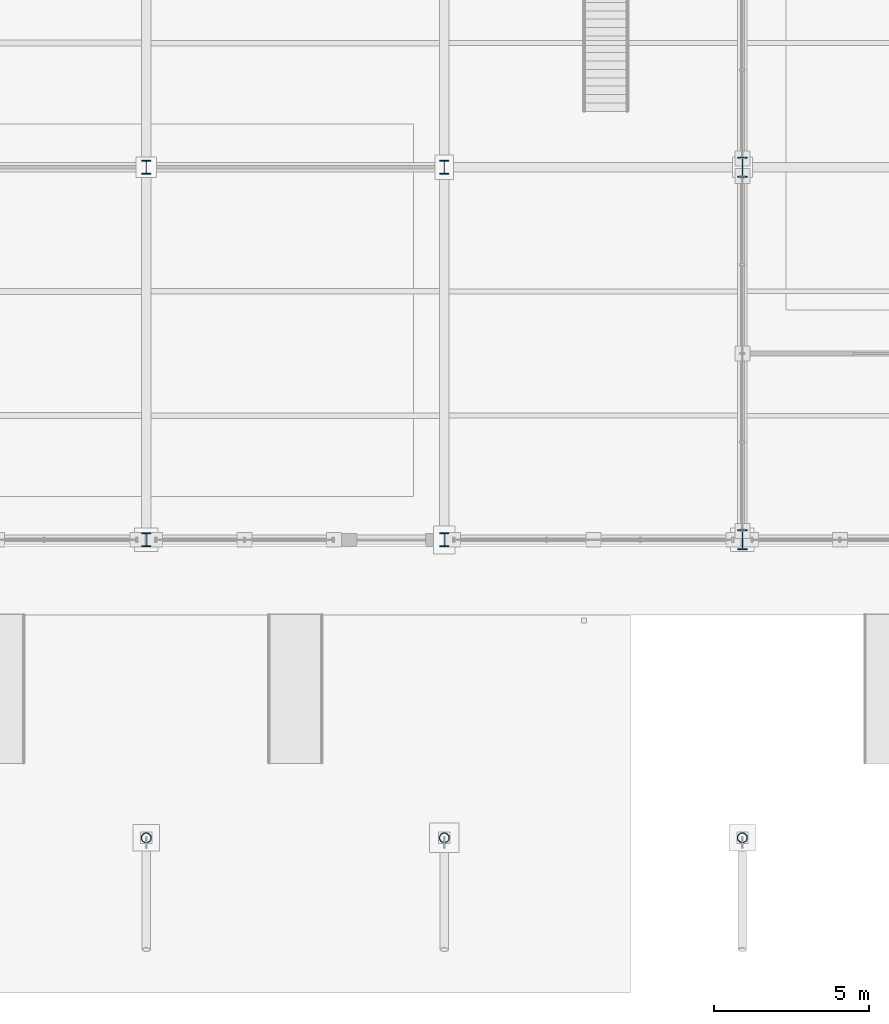
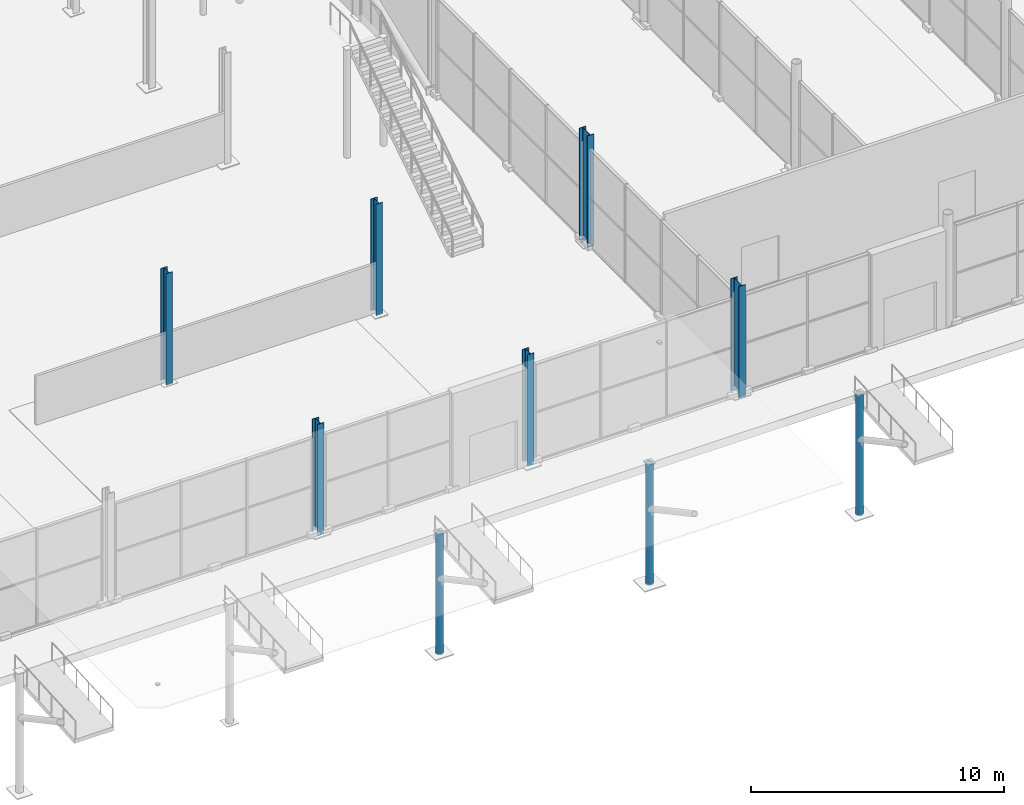
# One storey, part 2 of 196: 9 columns.
"""IFC4 building model written with IfcOpenShell, lengths in metres."""

from ifc_helpers import new_model, si_unit, direction, frame, origin, origin_2d, place, context, subcontext, project, spatial, hollow_circle, i_section, extrude, material, material_profile, profile_set, type_object, element, save


model = new_model("IFC4")

# Units and contexts
model_context = context("Model", 3, precision=1e-05, world=origin(), true_north=direction((0.0, 1.0)))
body_context = subcontext(model_context, "Body", "Model", "MODEL_VIEW")
ifc_project = project(units=[si_unit("LENGTHUNIT", "METRE"), si_unit("AREAUNIT", "SQUARE_METRE"), si_unit("VOLUMEUNIT", "CUBIC_METRE"), si_unit("PLANEANGLEUNIT", "RADIAN"), si_unit("MASSUNIT", "GRAM", prefix="KILO")], contexts=[model_context])

# Site, building, storey
site_placement = place(None, origin())
site = spatial("IfcSite", under=ifc_project, at=site_placement, CompositionType="ELEMENT")
building_placement = place(site_placement, origin())
building = spatial("IfcBuilding", under=site, at=building_placement, Name="Merenkruunu Market Hall", CompositionType="ELEMENT")
storey_placement = place(building_placement, origin())
storey = spatial("IfcBuildingStorey", under=building, at=storey_placement, Name="L00", CompositionType="ELEMENT", Elevation=0.0)

# Columns
ifc_material_1 = material(Name="Steel S355ML", Category="steel")
ifc_material_profile_1 = material_profile(ifc_material_1, i_section(OverallWidth=0.300048828125, OverallDepth=0.64990234375, WebThickness=0.01611328125, FlangeThickness=0.031005859375, FilletRadius=0.027099609375, at=origin_2d()), Name="HEB 650")
ifc_profile_set_1 = profile_set([ifc_material_profile_1], Name="Steel S355ML")
column_type_1 = type_object("IfcColumnType", Name="Structural Column C01", PredefinedType="COLUMN", material=ifc_profile_set_1)
for number, where, z_axis, x_axis, name in (
    (1, (57.60009765625, 15.60009765625, 0.0), (0.0, 0.0, 1.0), (1.0, 0.0, 0.0), "COL-L00-G-03"),
    (2, (57.60009765625, 27.60009765625, 0.0), (0.0, 0.0, 1.0), (1.0, 0.0, 0.0), "COL-L00-G-04"),
):
    element("IfcColumn", number, at=place(storey_placement, frame(where, z_axis=z_axis, x_axis=x_axis)), inside=storey, type_object=column_type_1, Name=name, PredefinedType="COLUMN", context=body_context, shape_type="SweptSolid", body=[
        extrude(i_section(OverallWidth=0.300048828125, OverallDepth=0.64990234375, WebThickness=0.01611328125, FlangeThickness=0.031005859375, FilletRadius=0.027099609375, at=origin_2d()), origin(), (0.0, 0.0, 1.0), 5.39990234375),
    ])
ifc_material_2 = material(Name="Steel S355J2", Category="steel")
ifc_material_profile_2 = material_profile(ifc_material_2, i_section(OverallWidth=0.300048828125, OverallDepth=0.43994140625, WebThickness=0.011474609375, FlangeThickness=0.02099609375, FilletRadius=0.027099609375, at=origin_2d()), Name="HEA 450")
ifc_profile_set_2 = profile_set([ifc_material_profile_2], Name="Steel S355J2")
column_type_2 = type_object("IfcColumnType", Name="Structural Column C07", PredefinedType="COLUMN", material=ifc_profile_set_2)
for number, where, z_axis, x_axis, name in (
    (3, (38.39990234375, 15.60009765625, 0.0), (0.0, 0.0, 1.0), (1.0, 0.0, 0.0), "COL-L00-E-03"),
    (4, (38.39990234375, 27.60009765625, 0.0), (0.0, 0.0, 1.0), (1.0, 0.0, 0.0), "COL-L00-E-04"),
    (5, (48.0, 15.60009765625, 0.0), (0.0, 0.0, 1.0), (1.0, 0.0, 0.0), "COL-L00-F-03"),
    (6, (48.0, 27.60009765625, 0.0), (0.0, 0.0, 1.0), (1.0, 0.0, 0.0), "COL-L00-F-04"),
):
    element("IfcColumn", number, at=place(storey_placement, frame(where, z_axis=z_axis, x_axis=x_axis)), inside=storey, type_object=column_type_2, Name=name, PredefinedType="COLUMN", context=body_context, shape_type="SweptSolid", body=[
        extrude(i_section(OverallWidth=0.300048828125, OverallDepth=0.43994140625, WebThickness=0.011474609375, FlangeThickness=0.02099609375, FilletRadius=0.027099609375, at=origin_2d()), origin(), (0.0, 0.0, 1.0), 5.39990234375),
    ])
ifc_material_profile_3 = material_profile(ifc_material_1, hollow_circle(Radius=0.161865234375, WallThickness=0.01611328125, at=origin_2d()), Name="CHS 323.9x16")
ifc_profile_set_3 = profile_set([ifc_material_profile_3], Name="Steel S355ML")
column_type_3 = type_object("IfcColumnType", Name="Structural Column C13", PredefinedType="COLUMN", material=ifc_profile_set_3)
for number, where, z_axis, x_axis, name in (
    (7, (38.39990234375, 6.0, 0.0), (0.0, 0.0, 1.0), (1.0, 0.0, 0.0), "COL-L00-E-02"),
    (8, (48.0, 6.0, 0.0), (0.0, 0.0, 1.0), (1.0, 0.0, 0.0), "COL-L00-F-02"),
    (9, (57.60009765625, 6.0, 0.0), (0.0, 0.0, 1.0), (1.0, 0.0, 0.0), "COL-L00-G-02"),
):
    element("IfcColumn", number, at=place(storey_placement, frame(where, z_axis=z_axis, x_axis=x_axis)), inside=storey, type_object=column_type_3, Name=name, PredefinedType="COLUMN", context=body_context, shape_type="SweptSolid", body=[
        extrude(hollow_circle(Radius=0.161865234375, WallThickness=0.01611328125, at=origin_2d()), origin(), (0.0, 0.0, 1.0), 5.840087890625),
    ])

save(model, "model.ifc")
